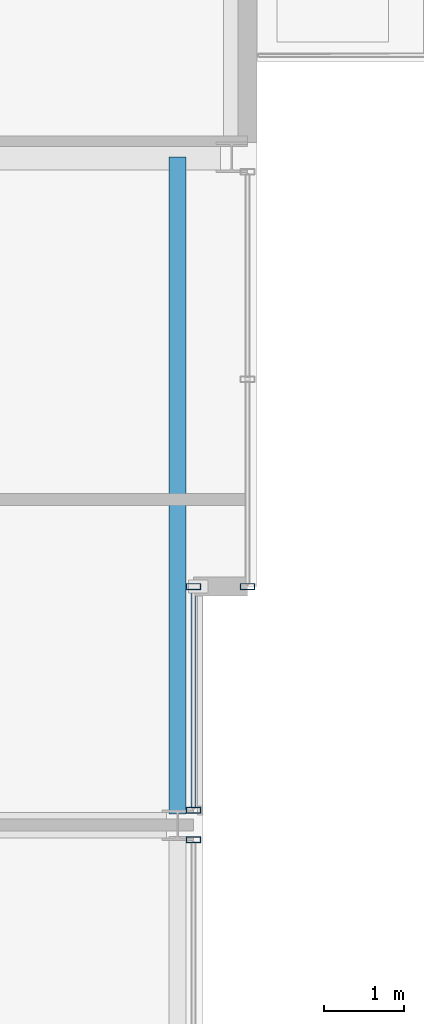
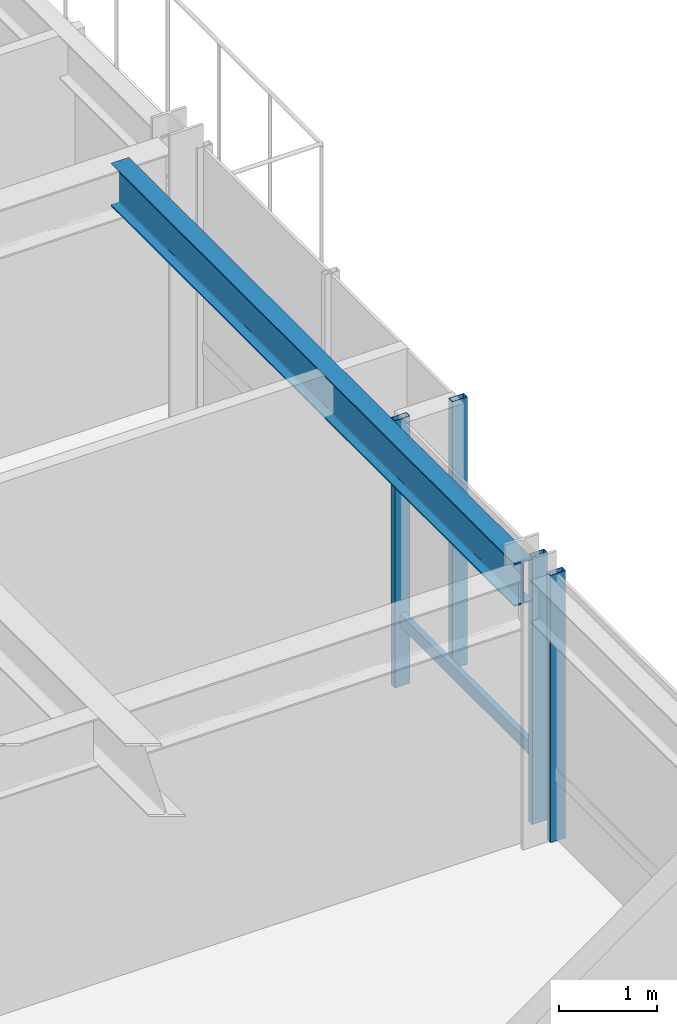
# One storey, part 15 of 32: 5 members, 1 beam, 3 elements without a shape of their own.
"""IFC4 building model written with IfcOpenShell, lengths in metres."""

from ifc_helpers import new_model, si_unit, direction, frame, origin, origin_2d, place, context, subcontext, project, spatial, hollow_rectangle, i_section, extrude, material, layer, layer_set, material_profile, profile_set, type_object, element, aggregate, save


model = new_model("IFC4")

# Units and contexts
model_context = context("Model", 3, precision=1e-05, world=origin(), true_north=direction((0.0, 1.0)))
body_context = subcontext(model_context, "Body", "Model", "MODEL_VIEW")
ifc_project = project(units=[si_unit("LENGTHUNIT", "METRE"), si_unit("AREAUNIT", "SQUARE_METRE"), si_unit("VOLUMEUNIT", "CUBIC_METRE"), si_unit("PLANEANGLEUNIT", "RADIAN"), si_unit("MASSUNIT", "GRAM", prefix="KILO")], contexts=[model_context])

# Site, building, storey
site_placement = place(None, origin())
site = spatial("IfcSite", under=ifc_project, at=site_placement, CompositionType="ELEMENT")
building_placement = place(site_placement, origin())
building = spatial("IfcBuilding", under=site, at=building_placement, Name="Drelvath Grand Hotel", CompositionType="ELEMENT")
storey_placement = place(building_placement, frame((0.0, 0.0, 205.10009765625)))
storey = spatial("IfcBuildingStorey", under=building, at=storey_placement, Name="L53", CompositionType="ELEMENT", Elevation=205.10009765625)

# Curtain wall, member
ifc_material_1 = material(Name="Platinum-Mist Anodised Aluminium Frame", Category="aluminium")
ifc_layer = layer(ifc_material_1, 0.199951171875)
ifc_layer_set = layer_set([ifc_layer], Name="Platinum-Mist Anodised Aluminium Frame")
curtain_wall_type = type_object("IfcCurtainWallType", Name="Stick Curtain Wall CW-05 Platinum Mist High-Rise", PredefinedType="NOTDEFINED", material=ifc_layer_set)
curtain_wall_1_placement = place(storey_placement, origin())
curtain_wall_1 = element("IfcCurtainWall", 1, at=curtain_wall_1_placement, inside=storey, type_object=curtain_wall_type, Name="L53 CW-05 Curtain Wall CW05-L53-EM2", PredefinedType="NOTDEFINED")
ifc_material_profile_1 = material_profile(ifc_material_1, hollow_rectangle(XDim=0.06494140625, YDim=0.159912109375, WallThickness=0.00390625, at=origin_2d()), Name="HSS160X65X4")
ifc_profile_set_1 = profile_set([ifc_material_profile_1], Name="Platinum-Mist Anodised Aluminium Frame")
member_type_1 = type_object("IfcMemberType", Name="Curtain Wall Horizontal Transom CW-05 HSS160X65X4", PredefinedType="USERDEFINED", material=ifc_profile_set_1)
member_1_placement = place(storey_placement, frame((21.39990234375, 29.9599609375, 0.8349609375), z_axis=(0.0, -1.0, 0.0), x_axis=(1.0, 0.0, 0.0)))
member_1 = element("IfcMember", 2, at=member_1_placement, type_object=member_type_1, Name="CW05-L53-EM2 Sill Transom", ObjectType="TRANSOM", PredefinedType="USERDEFINED", context=body_context, shape_type="SweptSolid", body=[
    extrude(hollow_rectangle(XDim=0.06494140625, YDim=0.159912109375, WallThickness=0.00390625, at=origin_2d()), origin(), (0.0, 0.0, 1.0), 2.734619140625),
])

curtain_wall_2_placement = place(storey_placement, origin())
curtain_wall_2 = element("IfcCurtainWall", 3, at=curtain_wall_2_placement, inside=storey, type_object=curtain_wall_type, Name="L53 CW-05 Curtain Wall CW05-L53-EN1", PredefinedType="NOTDEFINED")
ifc_material_profile_2 = material_profile(ifc_material_1, hollow_rectangle(XDim=0.074951171875, YDim=0.179931640625, WallThickness=0.0048828125, at=origin_2d()), Name="HSS180X75X5")
ifc_profile_set_2 = profile_set([ifc_material_profile_2], Name="Platinum-Mist Anodised Aluminium Frame")
member_type_2 = type_object("IfcMemberType", Name="Curtain Wall Vertical Mullion CW-05 HSS180X75X5", PredefinedType="MULLION", material=ifc_profile_set_2)
member_2_placement = place(storey_placement, frame((22.080078125, 30.0, 0.0), z_axis=(0.0, 0.0, 1.0), x_axis=(0.0, 1.0, 0.0)))
member_2 = element("IfcMember", 4, at=member_2_placement, type_object=member_type_2, Name="CW05-L53-EN1 Mullion 3", PredefinedType="MULLION", context=body_context, shape_type="SweptSolid", body=[
    extrude(hollow_rectangle(XDim=0.074951171875, YDim=0.179931640625, WallThickness=0.0048828125, at=origin_2d()), origin(), (0.0, 0.0, 1.0), 3.33984375),
])
aggregate(curtain_wall_2, [member_2])

curtain_wall_3_placement = place(storey_placement, origin())
curtain_wall_3 = element("IfcCurtainWall", 5, at=curtain_wall_3_placement, inside=storey, type_object=curtain_wall_type, Name="L53 CW-05 Curtain Wall CW05-L53-EM1", PredefinedType="NOTDEFINED")
member_3_placement = place(storey_placement, frame((21.39990234375, 26.814697265625, 0.0), z_axis=(0.0, 0.0, 1.0), x_axis=(0.0, 1.0, 0.0)))
member_3 = element("IfcMember", 6, at=member_3_placement, type_object=member_type_2, Name="CW05-L53-EM1 Mullion 1", PredefinedType="MULLION", context=body_context, shape_type="SweptSolid", body=[
    extrude(hollow_rectangle(XDim=0.074951171875, YDim=0.179931640625, WallThickness=0.0048828125, at=origin_2d()), origin(), (0.0, 0.0, 1.0), 3.33984375),
])
aggregate(curtain_wall_3, [member_3])

# Member
member_4_placement = place(storey_placement, frame((21.39990234375, 30.0, 0.0), z_axis=(0.0, 0.0, 1.0), x_axis=(0.0, 1.0, 0.0)))
member_4 = element("IfcMember", 7, at=member_4_placement, type_object=member_type_2, Name="CW05-L53-EM2 Mullion 1", PredefinedType="MULLION", context=body_context, shape_type="SweptSolid", body=[
    extrude(hollow_rectangle(XDim=0.074951171875, YDim=0.179931640625, WallThickness=0.0048828125, at=origin_2d()), origin(), (0.0, 0.0, 1.0), 3.33984375),
])

member_5_placement = place(storey_placement, frame((21.39990234375, 27.185302734375, 0.0), z_axis=(0.0, 0.0, 1.0), x_axis=(0.0, 1.0, 0.0)))
member_5 = element("IfcMember", 8, at=member_5_placement, type_object=member_type_2, Name="CW05-L53-EM2 Mullion 2", PredefinedType="MULLION", context=body_context, shape_type="SweptSolid", body=[
    extrude(hollow_rectangle(XDim=0.074951171875, YDim=0.179931640625, WallThickness=0.0048828125, at=origin_2d()), origin(), (0.0, 0.0, 1.0), 3.33984375),
])

aggregate(curtain_wall_1, [member_4, member_5, member_1])

# Beam
ifc_material_2 = material(Name="Steel ASTM A992 Gr 50", Category="steel")
ifc_material_profile_3 = material_profile(ifc_material_2, i_section(OverallWidth=0.210205078125, OverallDepth=0.53662109375, WebThickness=0.010986328125, FlangeThickness=0.017333984375, FilletRadius=0.01806640625, at=origin_2d()), Name="W21X68")
ifc_profile_set_3 = profile_set([ifc_material_profile_3], Name="Steel ASTM A992 Gr 50")
beam_type = type_object("IfcBeamType", Name="Perimeter Spandrel Beam W21X68", PredefinedType="SPANDREL", material=ifc_profile_set_3)
beam_placement = place(storey_placement, frame((21.199951171875, 27.139892578125, 3.071533203125), z_axis=(0.0, 1.0, 0.0), x_axis=(-1.0, 0.0, 0.0)))
element("IfcBeam", 9, at=beam_placement, inside=storey, type_object=beam_type, Name="L53 Spandrel East Mid N", PredefinedType="SPANDREL", context=body_context, shape_type="SweptSolid", body=[
    extrude(i_section(OverallWidth=0.210205078125, OverallDepth=0.53662109375, WebThickness=0.010986328125, FlangeThickness=0.017333984375, FilletRadius=0.01806640625, at=origin_2d()), origin(), (0.0, 0.0, 1.0), 8.260009765625),
])

save(model, "model.ifc")
